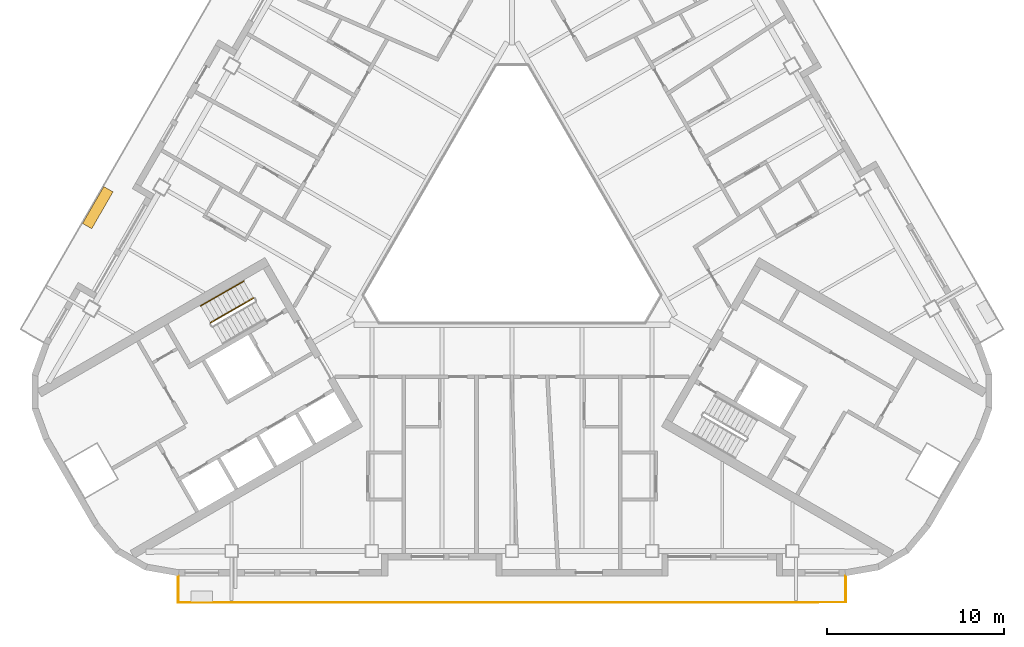
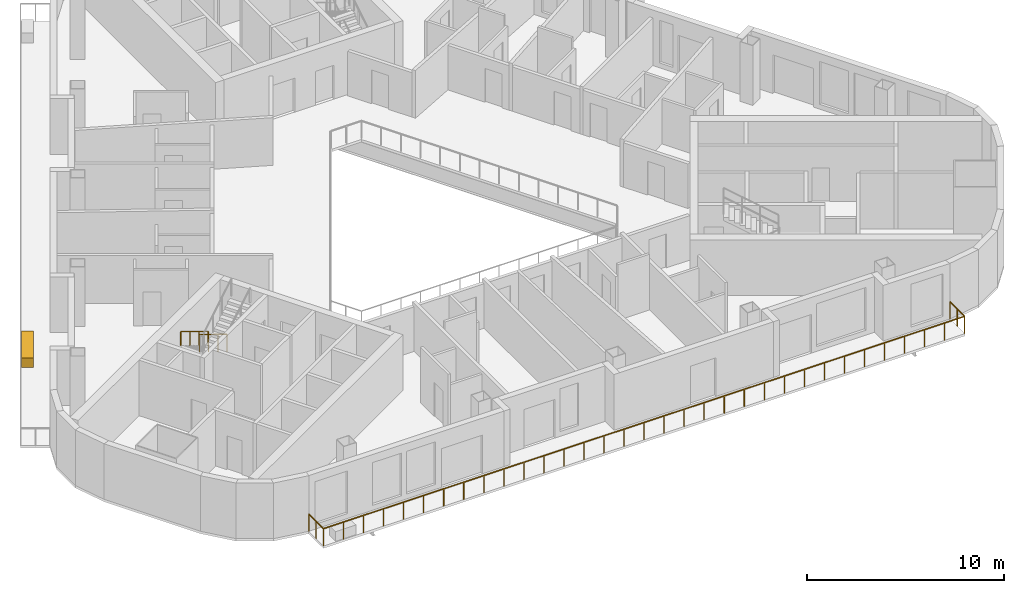
# One storey, part 10 of 14: 3 railings, 1 covering.
"""IFC4 building model written with IfcOpenShell, lengths in metres."""

from ifc_helpers import new_model, si_unit, direction, frame, origin, origin_2d, place, context, subcontext, project, spatial, rectangle, circle, extrude, material, type_object, element, save


model = new_model("IFC4")

# Units and contexts
model_context = context("Model", 3, precision=1e-05, world=origin(), true_north=direction((0.0, 1.0)))
body_context = subcontext(model_context, "Body", "Model", "MODEL_VIEW")
ifc_project = project(units=[si_unit("LENGTHUNIT", "METRE"), si_unit("AREAUNIT", "SQUARE_METRE"), si_unit("VOLUMEUNIT", "CUBIC_METRE"), si_unit("PLANEANGLEUNIT", "RADIAN"), si_unit("MASSUNIT", "GRAM", prefix="KILO")], contexts=[model_context])

# Site, building, storey
site_placement = place(None, origin())
site = spatial("IfcSite", under=ifc_project, at=site_placement, CompositionType="ELEMENT")
building_placement = place(site_placement, origin())
building = spatial("IfcBuilding", under=site, at=building_placement, Name="Apuvela Tower Hotel", CompositionType="ELEMENT")
storey_placement = place(building_placement, frame((0.0, 0.0, 228.0)))
storey = spatial("IfcBuildingStorey", under=building, at=storey_placement, Name="L56", CompositionType="ELEMENT", Elevation=228.0)

# Railings
ifc_material_1 = material(Name="Steel S275 balustrade", Category="steel")
railing_type_1 = type_object("IfcRailingType", Name="COR-GUARD-1100", PredefinedType="GUARDRAIL", material=ifc_material_1)
railing_1_placement = place(storey_placement, frame((-14.569091796875, -3.9658203125, 0.168212890625)))
element("IfcRailing", 1, at=railing_1_placement, inside=storey, type_object=railing_type_1, Name="L56 ST2 stair guard 1", PredefinedType="GUARDRAIL", context=body_context, shape_type="SweptSolid", body=[
    extrude(rectangle(XDim=0.048095703125, YDim=0.048095703125, at=origin_2d()), frame((0.0, 0.0, 1.076171875), z_axis=(-0.742390482028, -0.42860119049, 0.514934356695), x_axis=(0.49998411664, -0.866034573852, 0.0)), (0.0, 0.0, 1.0), 3.26611328125),
    extrude(rectangle(XDim=0.0419921875, YDim=0.0419921875, at=origin_2d()), origin(), (0.0, 0.0, 1.0), 1.052001953125),
    extrude(rectangle(XDim=0.0419921875, YDim=0.0419921875, at=origin_2d()), frame((-0.808349609375, -0.466552734375, 0.560546875)), (0.0, 0.0, 1.0), 1.052001953125),
    extrude(rectangle(XDim=0.0419921875, YDim=0.0419921875, at=origin_2d()), frame((-1.616455078125, -0.933349609375, 1.121337890625)), (0.0, 0.0, 1.0), 1.052001953125),
    extrude(rectangle(XDim=0.0419921875, YDim=0.0419921875, at=origin_2d()), frame((-2.4248046875, -1.39990234375, 1.681884765625)), (0.0, 0.0, 1.0), 1.052001953125),
])
ifc_material_2 = material(Name="Stainless steel 316 handrail", Category="steel")
railing_type_2 = type_object("IfcRailingType", Name="COR-HANDRAIL-900", PredefinedType="HANDRAIL", material=ifc_material_2)
railing_2_placement = place(storey_placement, frame((-15.118896484375, -3.01318359375, 0.168212890625)))
element("IfcRailing", 2, at=railing_2_placement, inside=storey, type_object=railing_type_2, Name="L56 ST2 stair handrail 1", PredefinedType="HANDRAIL", context=body_context, shape_type="SweptSolid", body=[
    extrude(circle(Radius=0.02392578125, at=origin_2d()), frame((0.0, 0.0, 0.8759765625), z_axis=(-0.742424030051, -0.428577407461, 0.514905783049), x_axis=(0.49994636267, -0.866056369097, 0.0)), (0.0, 0.0, 1.0), 3.266357421875),
    extrude(rectangle(XDim=0.0419921875, YDim=0.0419921875, at=origin_2d()), origin(), (0.0, 0.0, 1.0), 0.851806640625),
    extrude(rectangle(XDim=0.0419921875, YDim=0.0419921875, at=origin_2d()), frame((-0.808349609375, -0.466552734375, 0.560546875)), (0.0, 0.0, 1.0), 0.851806640625),
    extrude(rectangle(XDim=0.0419921875, YDim=0.0419921875, at=origin_2d()), frame((-1.61669921875, -0.933349609375, 1.121337890625)), (0.0, 0.0, 1.0), 0.851806640625),
    extrude(rectangle(XDim=0.0419921875, YDim=0.0419921875, at=origin_2d()), frame((-2.425048828125, -1.39990234375, 1.681884765625)), (0.0, 0.0, 1.0), 0.851806640625),
])
ifc_material_3 = material(Name="Stainless steel 316 rail with laminated glass infill", Category="steel")
railing_type_3 = type_object("IfcRailingType", Name="ENV-GUARD-1100", PredefinedType="GUARDRAIL", material=ifc_material_3)
railing_3_placement = place(storey_placement, frame((-18.81591796875, -19.6298828125, 0.0)))
element("IfcRailing", 3, at=railing_3_placement, inside=storey, type_object=railing_type_3, Name="Balcony guard S L56", PredefinedType="GUARDRAIL", context=body_context, shape_type="SweptSolid", body=[
    extrude(rectangle(XDim=0.050048828125, YDim=0.050048828125, at=origin_2d()), frame((0.0, 0.0, 1.0751953125), z_axis=(0.0, -1.0, 0.0), x_axis=(1.0, 0.0, 0.0)), (0.0, 0.0, 1.0), 1.5),
    extrude(rectangle(XDim=0.050048828125, YDim=0.050048828125, at=origin_2d()), frame((0.0, -1.5, 1.0751953125), z_axis=(1.0, 0.0, 0.0), x_axis=(0.0, 1.0, 0.0)), (0.0, 0.0, 1.0), 37.6318359375),
    extrude(rectangle(XDim=0.050048828125, YDim=0.050048828125, at=origin_2d()), frame((37.6318359375, -1.5, 1.0751953125), z_axis=(0.0, 1.0, 0.0), x_axis=(-1.0, 0.0, 0.0)), (0.0, 0.0, 1.0), 1.5),
    extrude(rectangle(XDim=0.0400390625, YDim=0.0400390625, at=origin_2d()), origin(), (0.0, 0.0, 1.0), 1.050048828125),
    extrude(rectangle(XDim=0.0400390625, YDim=0.0400390625, at=origin_2d()), frame((0.0, -0.75, 0.0)), (0.0, 0.0, 1.0), 1.050048828125),
    extrude(rectangle(XDim=0.0400390625, YDim=0.0400390625, at=origin_2d()), frame((0.0, -1.5, 0.0)), (0.0, 0.0, 1.0), 1.050048828125),
    extrude(rectangle(XDim=0.0400390625, YDim=0.0400390625, at=origin_2d()), frame((1.176025390625, -1.5, 0.0)), (0.0, 0.0, 1.0), 1.050048828125),
    extrude(rectangle(XDim=0.0400390625, YDim=0.0400390625, at=origin_2d()), frame((2.35205078125, -1.5, 0.0)), (0.0, 0.0, 1.0), 1.050048828125),
    extrude(rectangle(XDim=0.0400390625, YDim=0.0400390625, at=origin_2d()), frame((3.528076171875, -1.5, 0.0)), (0.0, 0.0, 1.0), 1.050048828125),
    extrude(rectangle(XDim=0.0400390625, YDim=0.0400390625, at=origin_2d()), frame((4.7041015625, -1.5, 0.0)), (0.0, 0.0, 1.0), 1.050048828125),
    extrude(rectangle(XDim=0.0400390625, YDim=0.0400390625, at=origin_2d()), frame((5.8798828125, -1.5, 0.0)), (0.0, 0.0, 1.0), 1.050048828125),
    extrude(rectangle(XDim=0.0400390625, YDim=0.0400390625, at=origin_2d()), frame((7.055908203125, -1.5, 0.0)), (0.0, 0.0, 1.0), 1.050048828125),
    extrude(rectangle(XDim=0.0400390625, YDim=0.0400390625, at=origin_2d()), frame((8.23193359375, -1.5, 0.0)), (0.0, 0.0, 1.0), 1.050048828125),
    extrude(rectangle(XDim=0.0400390625, YDim=0.0400390625, at=origin_2d()), frame((9.407958984375, -1.5, 0.0)), (0.0, 0.0, 1.0), 1.050048828125),
    extrude(rectangle(XDim=0.0400390625, YDim=0.0400390625, at=origin_2d()), frame((10.583984375, -1.5, 0.0)), (0.0, 0.0, 1.0), 1.050048828125),
    extrude(rectangle(XDim=0.0400390625, YDim=0.0400390625, at=origin_2d()), frame((11.760009765625, -1.5, 0.0)), (0.0, 0.0, 1.0), 1.050048828125),
    extrude(rectangle(XDim=0.0400390625, YDim=0.0400390625, at=origin_2d()), frame((12.93603515625, -1.5, 0.0)), (0.0, 0.0, 1.0), 1.050048828125),
    extrude(rectangle(XDim=0.0400390625, YDim=0.0400390625, at=origin_2d()), frame((14.11181640625, -1.5, 0.0)), (0.0, 0.0, 1.0), 1.050048828125),
    extrude(rectangle(XDim=0.0400390625, YDim=0.0400390625, at=origin_2d()), frame((15.287841796875, -1.5, 0.0)), (0.0, 0.0, 1.0), 1.050048828125),
    extrude(rectangle(XDim=0.0400390625, YDim=0.0400390625, at=origin_2d()), frame((16.4638671875, -1.5, 0.0)), (0.0, 0.0, 1.0), 1.050048828125),
    extrude(rectangle(XDim=0.0400390625, YDim=0.0400390625, at=origin_2d()), frame((17.639892578125, -1.5, 0.0)), (0.0, 0.0, 1.0), 1.050048828125),
    extrude(rectangle(XDim=0.0400390625, YDim=0.0400390625, at=origin_2d()), frame((18.81591796875, -1.5, 0.0)), (0.0, 0.0, 1.0), 1.050048828125),
    extrude(rectangle(XDim=0.0400390625, YDim=0.0400390625, at=origin_2d()), frame((19.991943359375, -1.5, 0.0)), (0.0, 0.0, 1.0), 1.050048828125),
    extrude(rectangle(XDim=0.0400390625, YDim=0.0400390625, at=origin_2d()), frame((21.16796875, -1.5, 0.0)), (0.0, 0.0, 1.0), 1.050048828125),
    extrude(rectangle(XDim=0.0400390625, YDim=0.0400390625, at=origin_2d()), frame((22.343994140625, -1.5, 0.0)), (0.0, 0.0, 1.0), 1.050048828125),
    extrude(rectangle(XDim=0.0400390625, YDim=0.0400390625, at=origin_2d()), frame((23.52001953125, -1.5, 0.0)), (0.0, 0.0, 1.0), 1.050048828125),
    extrude(rectangle(XDim=0.0400390625, YDim=0.0400390625, at=origin_2d()), frame((24.69580078125, -1.5, 0.0)), (0.0, 0.0, 1.0), 1.050048828125),
    extrude(rectangle(XDim=0.0400390625, YDim=0.0400390625, at=origin_2d()), frame((25.871826171875, -1.5, 0.0)), (0.0, 0.0, 1.0), 1.050048828125),
    extrude(rectangle(XDim=0.0400390625, YDim=0.0400390625, at=origin_2d()), frame((27.0478515625, -1.5, 0.0)), (0.0, 0.0, 1.0), 1.050048828125),
    extrude(rectangle(XDim=0.0400390625, YDim=0.0400390625, at=origin_2d()), frame((28.223876953125, -1.5, 0.0)), (0.0, 0.0, 1.0), 1.050048828125),
    extrude(rectangle(XDim=0.0400390625, YDim=0.0400390625, at=origin_2d()), frame((29.39990234375, -1.5, 0.0)), (0.0, 0.0, 1.0), 1.050048828125),
    extrude(rectangle(XDim=0.0400390625, YDim=0.0400390625, at=origin_2d()), frame((30.575927734375, -1.5, 0.0)), (0.0, 0.0, 1.0), 1.050048828125),
    extrude(rectangle(XDim=0.0400390625, YDim=0.0400390625, at=origin_2d()), frame((31.751953125, -1.5, 0.0)), (0.0, 0.0, 1.0), 1.050048828125),
    extrude(rectangle(XDim=0.0400390625, YDim=0.0400390625, at=origin_2d()), frame((32.927734375, -1.5, 0.0)), (0.0, 0.0, 1.0), 1.050048828125),
    extrude(rectangle(XDim=0.0400390625, YDim=0.0400390625, at=origin_2d()), frame((34.103759765625, -1.5, 0.0)), (0.0, 0.0, 1.0), 1.050048828125),
    extrude(rectangle(XDim=0.0400390625, YDim=0.0400390625, at=origin_2d()), frame((35.27978515625, -1.5, 0.0)), (0.0, 0.0, 1.0), 1.050048828125),
    extrude(rectangle(XDim=0.0400390625, YDim=0.0400390625, at=origin_2d()), frame((36.455810546875, -1.5, 0.0)), (0.0, 0.0, 1.0), 1.050048828125),
    extrude(rectangle(XDim=0.0400390625, YDim=0.0400390625, at=origin_2d()), frame((37.6318359375, -1.5, 0.0)), (0.0, 0.0, 1.0), 1.050048828125),
    extrude(rectangle(XDim=0.0400390625, YDim=0.0400390625, at=origin_2d()), frame((37.6318359375, -0.75, 0.0)), (0.0, 0.0, 1.0), 1.050048828125),
    extrude(rectangle(XDim=0.0400390625, YDim=0.0400390625, at=origin_2d()), frame((37.6318359375, 0.0, 0.0)), (0.0, 0.0, 1.0), 1.050048828125),
])

# Covering
ifc_material_4 = material(Name="Planting substrate and soil, planted")
covering_type = type_object("IfcCoveringType", Name="ENV-PLANTER-2400x600", PredefinedType="USERDEFINED", material=ifc_material_4)
covering_placement = place(storey_placement, frame((-23.345947265625, 1.12353515625, 0.0), z_axis=(0.0, 0.0, 1.0), x_axis=(-0.5, -0.866025403784, 0.0)))
element("IfcCovering", 4, at=covering_placement, inside=storey, type_object=covering_type, Name="Planter NW5", ObjectType="PLANTER", PredefinedType="USERDEFINED", context=body_context, shape_type="SweptSolid", body=[
    extrude(rectangle(XDim=2.39990234375, YDim=0.60009765625, at=origin_2d()), origin(), (0.0, 0.0, 1.0), 0.60009765625),
])

save(model, "model.ifc")
